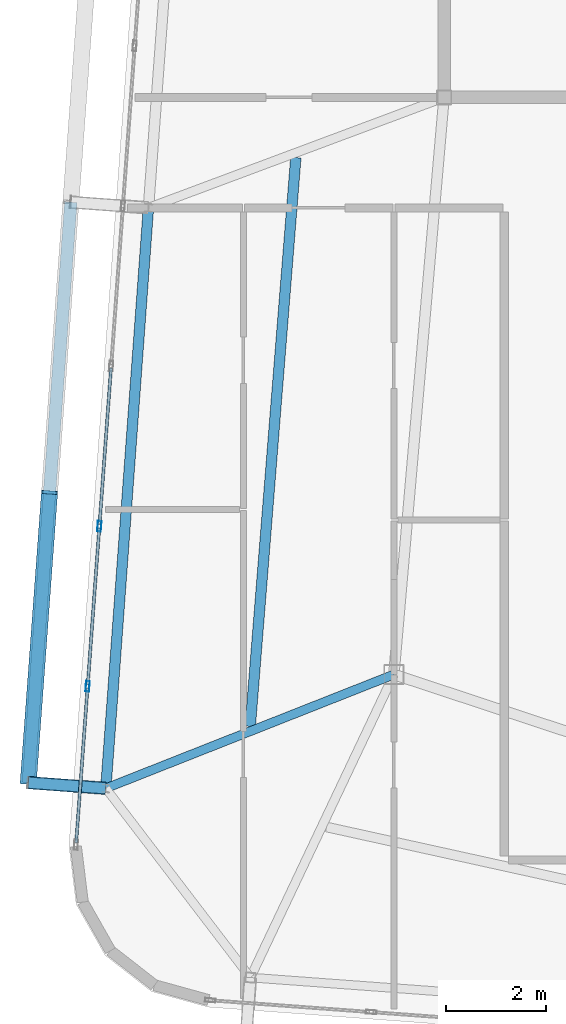
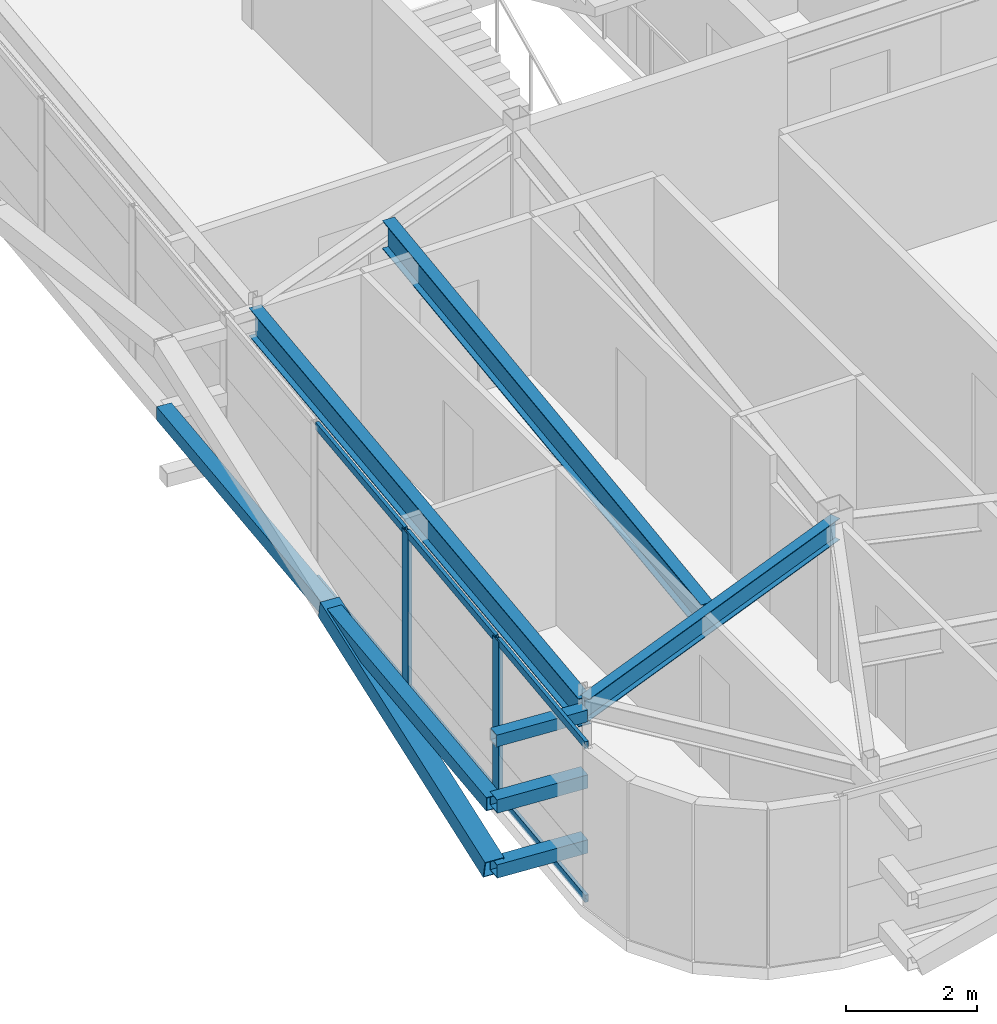
# One storey, part 11 of 42: 13 members, 3 beams, 1 element without a shape of its own.
"""IFC4 building model written with IfcOpenShell, lengths in metres."""

import ifcopenshell
import ifcopenshell.guid

model = None  # the IFC model being written
_history = None  # IfcOwnerHistory: only IFC2X3 demands one
_inside = {}  # id of a spatial element -> (the spatial element, [elements in it])
_under = {}  # id of a project, library or spatial element -> (it, [spatial elements below it])
_declared = {}  # id of a project -> (the project, [libraries it declares])
_typed = {}  # id of a type object -> (the type object, [elements of that type])
_made_of = {}  # id of a material, layer set ... -> (it, [elements and type objects made of it])


def new_model(schema):
    """Start an empty IFC model of exactly this schema.

    Asked for "IFC4X3", IfcOpenShell would pick the latest addendum, in which some entities
    have other attributes; the version numbers below select the first issue.
    IFC2X3 requires an IfcOwnerHistory on every rooted entity: one is made here for all.
    """
    global model, _history
    if schema == "IFC4X3":
        model = ifcopenshell.file(schema_version=(4, 3, 0, 0))
    else:
        model = ifcopenshell.file(schema=schema)
    _inside.clear()
    _under.clear()
    _declared.clear()
    _typed.clear()
    _made_of.clear()
    _history = None
    if model.schema == "IFC2X3":
        org = make("IfcOrganization", Name="unknown")
        user = make(
            "IfcPersonAndOrganization",
            ThePerson=make("IfcPerson", FamilyName="unknown"),
            TheOrganization=org,
        )
        app = make(
            "IfcApplication",
            ApplicationDeveloper=org,
            Version="unknown",
            ApplicationFullName="unknown",
            ApplicationIdentifier="unknown",
        )
        _history = make(
            "IfcOwnerHistory",
            OwningUser=user,
            OwningApplication=app,
            ChangeAction="ADDED",
            CreationDate=0,
        )
    return model


def make(cls, **values):
    """One entity of the class cls with the attributes given. An attribute that is None is left unset."""
    return model.create_entity(
        cls, **{name: value for name, value in values.items() if value is not None}
    )


def rooted(cls, **values):
    """An entity with a GlobalId (a new one), such as an element, a storey or a relation."""
    return make(cls, GlobalId=ifcopenshell.guid.new(), OwnerHistory=_history, **values)


def si_unit(unit_type, name, prefix=None):
    """IfcSIUnit, for example si_unit("LENGTHUNIT", "METRE", prefix="MILLI")."""
    return make("IfcSIUnit", UnitType=unit_type, Prefix=prefix, Name=name)


def assignment(units):
    """IfcUnitAssignment: the units of a project."""
    return None if units is None else make("IfcUnitAssignment", Units=units)


def point(xyz):
    """IfcCartesianPoint."""
    return None if xyz is None else make("IfcCartesianPoint", Coordinates=xyz)


def direction(xyz):
    """IfcDirection."""
    return None if xyz is None else make("IfcDirection", DirectionRatios=xyz)


def frame(location, z_axis=None, x_axis=None):
    """IfcAxis2Placement3D, a coordinate frame: its origin and axes. An axis left out is left unset."""
    return make(
        "IfcAxis2Placement3D",
        Location=point(location),
        Axis=direction(z_axis),
        RefDirection=direction(x_axis),
    )


def frame_2d(location, x_axis=None):
    """IfcAxis2Placement2D, a coordinate frame in the plane: its origin and x axis."""
    return make(
        "IfcAxis2Placement2D", Location=point(location), RefDirection=direction(x_axis)
    )


def origin():
    """The frame at (0, 0, 0) with its axes left unset."""
    return frame((0.0, 0.0, 0.0))


def origin_2d():
    """The frame at (0, 0) in the plane with its x axis left unset."""
    return frame_2d((0.0, 0.0))


def place(relative_to, where):
    """IfcLocalPlacement: puts the frame where relative to a parent placement (None: the world)."""
    return make(
        "IfcLocalPlacement", PlacementRelTo=relative_to, RelativePlacement=where
    )


def context(
    kind, dimensions, precision=None, world=None, true_north=None, identifier=None
):
    """IfcGeometricRepresentationContext, for example the 3D "Model" context."""
    return make(
        "IfcGeometricRepresentationContext",
        ContextIdentifier=identifier,
        ContextType=kind,
        CoordinateSpaceDimension=dimensions,
        Precision=precision,
        WorldCoordinateSystem=world,
        TrueNorth=true_north,
    )


def subcontext(parent, identifier, kind, view, scale=None):
    """IfcGeometricRepresentationSubContext, for example "Body" below "Model"."""
    return make(
        "IfcGeometricRepresentationSubContext",
        ContextIdentifier=identifier,
        ContextType=kind,
        ParentContext=parent,
        TargetScale=scale,
        TargetView=view,
    )


def project(units=None, contexts=None):
    """IfcProject with its units and contexts."""
    return rooted(
        "IfcProject",
        Name="project",
        RepresentationContexts=contexts,
        UnitsInContext=assignment(units),
    )


def spatial(cls, under=None, at=None, **own):
    """A site, building, storey or space (cls), placed at a placement, below another one or the project."""
    s = rooted(cls, ObjectPlacement=at, **own)
    if under is not None:
        _under.setdefault(under.id(), (under, []))[1].append(s)
    return s


def profile(cls, at=None, kind="AREA", **sizes):
    """A parametric profile (cls). Its sizes go by their IFC names, for example OverallWidth=200.0."""
    return make(cls, ProfileType=kind, Position=at, **sizes)


def hollow_rectangle(**sizes):
    """IfcRectangleHollowProfileDef."""
    return profile("IfcRectangleHollowProfileDef", **sizes)


def i_section(**sizes):
    """IfcIShapeProfileDef."""
    return profile("IfcIShapeProfileDef", **sizes)


def extrude(swept, where, along, depth):
    """IfcExtrudedAreaSolid: the profile swept, set in the frame where, extruded along a direction by depth."""
    return make(
        "IfcExtrudedAreaSolid",
        SweptArea=swept,
        Position=where,
        ExtrudedDirection=direction(along),
        Depth=depth,
    )


def shape(context_of_items, identifier, shape_type, items):
    """IfcShapeRepresentation: the items that make up one representation, for example the "Body"."""
    return make(
        "IfcShapeRepresentation",
        ContextOfItems=context_of_items,
        RepresentationIdentifier=identifier,
        RepresentationType=shape_type,
        Items=items,
    )


def source(mapping_origin, context_of_items, identifier, shape_type, items):
    """IfcRepresentationMap: a shape defined once, which mapped items show again and again."""
    return make(
        "IfcRepresentationMap",
        MappingOrigin=mapping_origin,
        MappedRepresentation=shape(context_of_items, identifier, shape_type, items),
    )


def transform(
    local_origin,
    x_axis=None,
    y_axis=None,
    z_axis=None,
    scale=None,
    scale2=None,
    scale3=None,
    uniform=True,
):
    """IfcCartesianTransformationOperator3D, or its non-uniform kind. x_axis, y_axis, z_axis: its Axis1, 2, 3."""
    if uniform:
        return make(
            "IfcCartesianTransformationOperator3D",
            Axis1=direction(x_axis),
            Axis2=direction(y_axis),
            LocalOrigin=point(local_origin),
            Scale=scale,
            Axis3=direction(z_axis),
        )
    return make(
        "IfcCartesianTransformationOperator3DnonUniform",
        Axis1=direction(x_axis),
        Axis2=direction(y_axis),
        LocalOrigin=point(local_origin),
        Scale=scale,
        Axis3=direction(z_axis),
        Scale2=scale2,
        Scale3=scale3,
    )


def mapped(mapping_source, mapping_target):
    """IfcMappedItem: shows the shape of a source again, moved by a transform."""
    return make(
        "IfcMappedItem", MappingSource=mapping_source, MappingTarget=mapping_target
    )


def material(Name=None, Category=None):
    """IfcMaterial."""
    return make("IfcMaterial", Name=Name, Category=Category)


def layer(
    of_material, thickness, ventilated=None, Name=None, Category=None, Priority=None
):
    """IfcMaterialLayer: one layer of a wall or slab, of a material (None: an air gap)."""
    return make(
        "IfcMaterialLayer",
        Material=of_material,
        LayerThickness=thickness,
        IsVentilated=ventilated,
        Name=Name,
        Category=Category,
        Priority=Priority,
    )


def layer_set(layers, Name=None):
    """IfcMaterialLayerSet."""
    return make("IfcMaterialLayerSet", MaterialLayers=layers, LayerSetName=Name)


def material_profile(
    of_material, cross_section, Name=None, Category=None, Priority=None
):
    """IfcMaterialProfile: a cross section and its material."""
    return make(
        "IfcMaterialProfile",
        Name=Name,
        Material=of_material,
        Profile=cross_section,
        Priority=Priority,
        Category=Category,
    )


def profile_set(profiles, Name=None, composite=None):
    """IfcMaterialProfileSet."""
    return make(
        "IfcMaterialProfileSet",
        Name=Name,
        MaterialProfiles=profiles,
        CompositeProfile=composite,
    )


def made_of(thing, what):
    """Note that an element or type object is made of a material, layer set ...; save() writes the relation."""
    if what is not None:
        _made_of.setdefault(what.id(), (what, []))[1].append(thing)
    return thing


def type_object(cls, material=None, **own):
    """A type object (cls), such as IfcWallType, which elements share."""
    return made_of(rooted(cls, **own), material)


def element(
    cls,
    number,
    at=None,
    inside=None,
    cuts=None,
    type_object=None,
    material=None,
    context=None,
    identifier="Body",
    shape_type=None,
    held_by="IfcProductDefinitionShape",
    body=None,
    shapes=None,
    **own,
):
    """One element of the class cls, such as IfcWall. Its Tag is "e" and its number.

    at: its placement. inside: the storey or other place that contains it. cuts: it is an
    opening in that element (IfcRelVoidsElement). A single representation is given by context,
    identifier, shape_type and body (its items); several are given by shapes. held_by: the class
    of the entity that holds the representations. save() writes the other relations.
    """
    e = rooted(cls, Tag="e%d" % number, ObjectPlacement=at, **own)
    if body is not None:
        shapes = [shape(context, identifier, shape_type, body)]
    if shapes is not None:
        e.Representation = make(held_by, Representations=shapes)
    if inside is not None:
        _inside.setdefault(inside.id(), (inside, []))[1].append(e)
    if cuts is not None:
        rooted(
            "IfcRelVoidsElement", RelatingBuildingElement=cuts, RelatedOpeningElement=e
        )
    if type_object is not None:
        _typed.setdefault(type_object.id(), (type_object, []))[1].append(e)
    return made_of(e, material)


def aggregate(whole, parts):
    """IfcRelAggregates: a whole, such as a stair, and the parts it consists of."""
    return rooted("IfcRelAggregates", RelatingObject=whole, RelatedObjects=parts)


def save(model, path):
    """Write the relations noted so far, then the file.

    IfcRelAggregates (storeys below a building ...), IfcRelContainedInSpatialStructure (elements
    in a storey), IfcRelDefinesByType, IfcRelAssociatesMaterial and IfcRelDeclares: one each for
    every whole, place, type object, material and project.
    """
    for whole, parts in _under.values():
        aggregate(whole, parts)
    for where, things in _inside.values():
        rooted(
            "IfcRelContainedInSpatialStructure",
            RelatedElements=things,
            RelatingStructure=where,
        )
    for kind, things in _typed.values():
        rooted("IfcRelDefinesByType", RelatedObjects=things, RelatingType=kind)
    for what, things in _made_of.values():
        rooted("IfcRelAssociatesMaterial", RelatedObjects=things, RelatingMaterial=what)
    for by, libraries in _declared.values():
        rooted("IfcRelDeclares", RelatingContext=by, RelatedDefinitions=libraries)
    model.write(path)


model = new_model("IFC4")

# Units and contexts
model_context = context("Model", 3, precision=1e-05, world=origin(), true_north=direction((0.0, 1.0)))
body_context = subcontext(model_context, "Body", "Model", "MODEL_VIEW")
ifc_project = project(units=[si_unit("LENGTHUNIT", "METRE"), si_unit("AREAUNIT", "SQUARE_METRE"), si_unit("VOLUMEUNIT", "CUBIC_METRE"), si_unit("PLANEANGLEUNIT", "RADIAN"), si_unit("MASSUNIT", "GRAM", prefix="KILO")], contexts=[model_context])

# Site, building, storey
site_placement = place(None, origin())
site = spatial("IfcSite", under=ifc_project, at=site_placement, CompositionType="ELEMENT")
building_placement = place(site_placement, origin())
building = spatial("IfcBuilding", under=site, at=building_placement, Name="Taldren Reach Tower", CompositionType="ELEMENT")
storey_placement = place(building_placement, frame((0.0, 0.0, 224.0)))
storey = spatial("IfcBuildingStorey", under=building, at=storey_placement, Name="L68", CompositionType="ELEMENT", Elevation=224.0)

# Beams
ifc_material_1 = material(Name="Steel Gr 350 (350PLUS)", Category="steel")
ifc_material_profile_1 = material_profile(ifc_material_1, i_section(OverallWidth=0.208984375, OverallDepth=0.528076171875, WebThickness=0.009521484375, FlangeThickness=0.01318359375, at=origin_2d()), Name="530UB82.0")
ifc_profile_set_1 = profile_set([ifc_material_profile_1], Name="Steel Gr 350 (350PLUS)")
beam_type_1 = type_object("IfcBeamType", Name="SP-UB530B", PredefinedType="SPANDREL", material=ifc_profile_set_1)
shared_shape_1 = source(origin(), body_context, "Body", "SweptSolid", [
    extrude(i_section(OverallWidth=0.208984375, OverallDepth=0.528076171875, WebThickness=0.009521484375, FlangeThickness=0.01318359375, at=origin_2d()), origin(), (0.0, 0.0, 1.0), 11.60009765625),
])
beam_1_placement = place(storey_placement, frame((13.108642578125, 21.80029296875, 2.666015625), z_axis=(-0.073242167855, -0.997314185625, 0.0), x_axis=(0.997314185625, -0.073242167855, 0.0)))
element("IfcBeam", 1, at=beam_1_placement, inside=storey, type_object=beam_type_1, Name="Perimeter spandrel B5 W2-W1 L68", PredefinedType="SPANDREL", context=body_context, shape_type="MappedRepresentation", body=[
    mapped(shared_shape_1, transform((0.0, 0.0, 0.0), scale=1.0)),
])
ifc_material_profile_2 = material_profile(ifc_material_1, i_section(OverallWidth=0.177978515625, OverallDepth=0.406005859375, WebThickness=0.0078125, FlangeThickness=0.0126953125, at=origin_2d()), Name="410UB59.7")
ifc_profile_set_2 = profile_set([ifc_material_profile_2], Name="Steel Gr 350 (350PLUS)")
beam_type_2 = type_object("IfcBeamType", Name="BM-UB410", PredefinedType="BEAM", material=ifc_profile_set_2)
shared_shape_2 = source(origin(), body_context, "Body", "SweptSolid", [
    extrude(i_section(OverallWidth=0.177978515625, OverallDepth=0.406005859375, WebThickness=0.0078125, FlangeThickness=0.0126953125, at=origin_2d()), origin(), (0.0, 0.0, 1.0), 6.1728515625),
])
beam_2_placement = place(storey_placement, frame((18.0, 12.5, 2.72705078125), z_axis=(-0.930023287794, -0.367500590695, 0.0), x_axis=(0.367500590695, -0.930023287794, 0.0)))
element("IfcBeam", 2, at=beam_2_placement, inside=storey, type_object=beam_type_2, Name="Primary floor girder B5-W1 L68", PredefinedType="BEAM", context=body_context, shape_type="MappedRepresentation", body=[
    mapped(shared_shape_2, transform((0.0, 0.0, 0.0), scale=1.0)),
])
ifc_material_profile_3 = material_profile(ifc_material_1, i_section(OverallWidth=0.208984375, OverallDepth=0.532958984375, WebThickness=0.01025390625, FlangeThickness=0.015625, at=origin_2d()), Name="530UB92.4")
ifc_profile_set_3 = profile_set([ifc_material_profile_3], Name="Steel Gr 350 (350PLUS)")
beam_type_3 = type_object("IfcBeamType", Name="BM-UB530A", PredefinedType="BEAM", material=ifc_profile_set_3)
shared_shape_3 = source(origin(), body_context, "Body", "SweptSolid", [
    extrude(i_section(OverallWidth=0.208984375, OverallDepth=0.532958984375, WebThickness=0.01025390625, FlangeThickness=0.015625, at=origin_2d()), origin(), (0.0, 0.0, 1.0), 11.3740234375),
])
beam_3_placement = place(storey_placement, frame((15.137451171875, 11.464599609375, 2.66357421875), z_axis=(0.079913287803, 0.996801819036, 0.0), x_axis=(-0.996801819036, 0.079913287803, 0.0)))
element("IfcBeam", 3, at=beam_3_placement, inside=storey, type_object=beam_type_3, Name="Secondary floor beam B5 J6 L68", PredefinedType="BEAM", context=body_context, shape_type="MappedRepresentation", body=[
    mapped(shared_shape_3, transform((0.0, 0.0, 0.0), scale=1.0)),
])

# Members
ifc_material_2 = material(Name="Steel Gr 450 (C450L0)", Category="steel")
ifc_material_profile_4 = material_profile(ifc_material_2, hollow_rectangle(XDim=0.219970703125, YDim=0.219970703125, WallThickness=0.00830078125, at=origin_2d()), Name="220x220x8.2SHS")
ifc_profile_set_4 = profile_set([ifc_material_profile_4], Name="Steel Gr 450 (C450L0)")
member_type_1 = type_object("IfcMemberType", Name="MB-TIE219", PredefinedType="STRUT", material=ifc_profile_set_4)
shared_shape_4 = source(origin(), body_context, "Body", "SweptSolid", [
    extrude(hollow_rectangle(XDim=0.219970703125, YDim=0.219970703125, WallThickness=0.00830078125, at=origin_2d()), origin(), (0.0, 0.0, 1.0), 1.5458984375),
])
member_1_placement = place(storey_placement, frame((12.255126953125, 10.231689453125, 2.64990234375), z_axis=(-0.997311530447, 0.073278313559, 0.0), x_axis=(-0.073278313559, -0.997311530447, 0.0)))
element("IfcMember", 4, at=member_1_placement, inside=storey, type_object=member_type_1, Name="Exoskeleton diaphragm tie strut B5-W1 L68", PredefinedType="STRUT", context=body_context, shape_type="MappedRepresentation", body=[
    mapped(shared_shape_4, transform((0.0, 0.0, 0.0), scale=1.0)),
])
ifc_material_profile_5 = material_profile(ifc_material_2, hollow_rectangle(XDim=0.324951171875, YDim=0.324951171875, WallThickness=0.0126953125, at=origin_2d()), Name="325x325x12.7SHS")
ifc_profile_set_5 = profile_set([ifc_material_profile_5], Name="Steel Gr 450 (C450L0)")
member_type_2 = type_object("IfcMemberType", Name="MB-BR324", PredefinedType="BRACE", material=ifc_profile_set_5)
shared_shape_5 = source(origin(), body_context, "Body", "SweptSolid", [
    extrude(hollow_rectangle(XDim=0.324951171875, YDim=0.324951171875, WallThickness=0.0126953125, at=origin_2d()), origin(), (0.0, 0.0, 1.0), 5.92578125),
])
member_2_placement = place(storey_placement, frame((10.71337890625, 10.344970703125, 0.219970703125), z_axis=(0.071644948114, 0.976126368983, 0.205047099921), x_axis=(-0.997317259472, 0.073200300267, 0.0)))
element("IfcMember", 5, at=member_2_placement, inside=storey, type_object=member_type_2, Name="Exoskeleton Diagrid Brace B5-W1 L68", PredefinedType="BRACE", context=body_context, shape_type="MappedRepresentation", body=[
    mapped(shared_shape_5, transform((0.0, 0.0, 0.0), scale=1.0)),
])
ifc_material_3 = material(Name="Steel Gr 350 (C350L0)", Category="steel")
ifc_material_profile_6 = material_profile(ifc_material_3, hollow_rectangle(XDim=0.25, YDim=0.25, WallThickness=0.010009765625, at=origin_2d()), Name="250x250x10.0SHS")
ifc_profile_set_6 = profile_set([ifc_material_profile_6], Name="Steel Gr 350 (C350L0)")
member_type_3 = type_object("IfcMemberType", Name="MB-POST250", PredefinedType="POST", material=ifc_profile_set_6)
shared_shape_6 = source(origin(), body_context, "Body", "SweptSolid", [
    extrude(hollow_rectangle(XDim=0.25, YDim=0.25, WallThickness=0.010009765625, at=origin_2d()), origin(), (0.0, 0.0, 1.0), 11.60009765625),
])
member_3_placement = place(storey_placement, frame((10.71337890625, 10.344970703125, 1.43505859375), z_axis=(0.073221234109, 0.997315722766, 0.0), x_axis=(-0.997315722766, 0.073221234109, 0.0)))
element("IfcMember", 6, at=member_3_placement, inside=storey, type_object=member_type_3, Name="Exoskeleton mid-height ring chord B5-W1 L68", PredefinedType="POST", context=body_context, shape_type="MappedRepresentation", body=[
    mapped(shared_shape_6, transform((0.0, 0.0, 0.0), scale=1.0)),
])
shared_shape_7 = source(origin(), body_context, "Body", "SweptSolid", [
    extrude(hollow_rectangle(XDim=0.25, YDim=0.25, WallThickness=0.010009765625, at=origin_2d()), origin(), (0.0, 0.0, 1.0), 1.5458984375),
])
for number, where, z_axis, x_axis, name in (
    (7, (12.255126953125, 10.231689453125, 0.219970703125), (-0.997311530447, 0.073278313559, 0.0), (-0.073278313559, -0.997311530447, 0.0), "Exoskeleton base diaphragm tie strut B5-W1 L68"),
    (8, (12.255126953125, 10.231689453125, 1.43505859375), (-0.997311530447, 0.073278313559, 0.0), (-0.073278313559, -0.997311530447, 0.0), "Exoskeleton mid-tier diaphragm tie B5-W1 L68"),
):
    element("IfcMember", number, at=place(storey_placement, frame(where, z_axis=z_axis, x_axis=x_axis)), inside=storey, type_object=member_type_3, Name=name, PredefinedType="POST", context=body_context, shape_type="MappedRepresentation", body=[
        mapped(shared_shape_7, transform((0.0, 0.0, 0.0), scale=1.0)),
    ])

# Curtain wall, members
ifc_material_4 = material(Name="Aluminium and Low-E Glass Unitised System", Category="aluminium")
ifc_layer = layer(ifc_material_4, 0.159912109375)
ifc_layer_set = layer_set([ifc_layer], Name="Aluminium and Low-E Glass Unitised System")
curtain_wall_type = type_object("IfcCurtainWallType", Name="CW-SYS-6", PredefinedType="NOTDEFINED", material=ifc_layer_set)
curtain_wall_placement = place(storey_placement, origin())
curtain_wall = element("IfcCurtainWall", 9, at=curtain_wall_placement, inside=storey, type_object=curtain_wall_type, Name="Unitised curtain wall CW-L68-W", PredefinedType="NOTDEFINED")
ifc_material_5 = material(Name="Anodised Aluminium 6063-T6", Category="aluminium")
ifc_material_profile_7 = material_profile(ifc_material_5, hollow_rectangle(XDim=0.074951171875, YDim=0.2099609375, WallThickness=0.00439453125, at=origin_2d()), Name="ALU-210x75x4.5RHS")
ifc_profile_set_7 = profile_set([ifc_material_profile_7], Name="Anodised Aluminium 6063-T6")
member_type_4 = type_object("IfcMemberType", Name="CW-MUL-200", PredefinedType="MULLION", material=ifc_profile_set_7)
shared_shape_8 = source(origin(), body_context, "Body", "SweptSolid", [
    extrude(hollow_rectangle(XDim=0.074951171875, YDim=0.2099609375, WallThickness=0.00439453125, at=origin_2d()), origin(), (0.0, 0.0, 1.0), 2.929931640625),
])
member_4_placement = place(storey_placement, frame((12.13134765625, 15.454833984375, 0.0), z_axis=(0.0, 0.0, 1.0), x_axis=(0.997314470951, -0.073238282558, 0.0)))
member_4 = element("IfcMember", 10, at=member_4_placement, type_object=member_type_4, Name="CW-6 mullion 7", PredefinedType="MULLION", context=body_context, shape_type="MappedRepresentation", body=[
    mapped(shared_shape_8, transform((0.0, 0.0, 0.0), scale=1.0)),
])
member_5_placement = place(storey_placement, frame((11.89697265625, 12.263427734375, 0.0), z_axis=(0.0, 0.0, 1.0), x_axis=(0.997314470951, -0.073238282558, 0.0)))
member_5 = element("IfcMember", 11, at=member_5_placement, type_object=member_type_4, Name="CW-6 mullion 8", PredefinedType="MULLION", context=body_context, shape_type="MappedRepresentation", body=[
    mapped(shared_shape_8, transform((0.0, 0.0, 0.0), scale=1.0)),
])
ifc_material_profile_8 = material_profile(ifc_material_5, hollow_rectangle(XDim=0.06005859375, YDim=0.135009765625, WallThickness=0.00341796875, at=origin_2d()), Name="ALU-135x60x3.5RHS")
ifc_profile_set_8 = profile_set([ifc_material_profile_8], Name="Anodised Aluminium 6063-T6")
member_type_5 = type_object("IfcMemberType", Name="CW-TRN-150", PredefinedType="USERDEFINED", material=ifc_profile_set_8)
shared_shape_9 = source(origin(), body_context, "Body", "SweptSolid", [
    extrude(hollow_rectangle(XDim=0.06005859375, YDim=0.135009765625, WallThickness=0.00341796875, at=origin_2d()), origin(), (0.0, 0.0, 1.0), 3.125),
])
member_6_placement = place(storey_placement, frame((12.363037109375, 18.60888671875, 0.030029296875), z_axis=(-0.073278879567, -0.997311488859, 0.0), x_axis=(0.997311488859, -0.073278879567, 0.0)))
member_6 = element("IfcMember", 12, at=member_6_placement, type_object=member_type_5, Name="CW-6 transom 6.1", ObjectType="TRANSOM", PredefinedType="USERDEFINED", context=body_context, shape_type="MappedRepresentation", body=[
    mapped(shared_shape_9, transform((0.0, 0.0, 0.0), scale=1.0)),
])
member_7_placement = place(storey_placement, frame((12.363037109375, 18.60888671875, 2.89990234375), z_axis=(-0.073278879567, -0.997311488859, 0.0), x_axis=(0.997311488859, -0.073278879567, 0.0)))
member_7 = element("IfcMember", 13, at=member_7_placement, type_object=member_type_5, Name="CW-6 transom 6.2", ObjectType="TRANSOM", PredefinedType="USERDEFINED", context=body_context, shape_type="MappedRepresentation", body=[
    mapped(shared_shape_9, transform((0.0, 0.0, 0.0), scale=1.0)),
])
member_8_placement = place(storey_placement, frame((12.128662109375, 15.41748046875, 0.030029296875), z_axis=(-0.073278879567, -0.997311488859, 0.0), x_axis=(0.997311488859, -0.073278879567, 0.0)))
member_8 = element("IfcMember", 14, at=member_8_placement, type_object=member_type_5, Name="CW-6 transom 7.1", ObjectType="TRANSOM", PredefinedType="USERDEFINED", context=body_context, shape_type="MappedRepresentation", body=[
    mapped(shared_shape_9, transform((0.0, 0.0, 0.0), scale=1.0)),
])
member_9_placement = place(storey_placement, frame((12.128662109375, 15.41748046875, 2.89990234375), z_axis=(-0.073278879567, -0.997311488859, 0.0), x_axis=(0.997311488859, -0.073278879567, 0.0)))
member_9 = element("IfcMember", 15, at=member_9_placement, type_object=member_type_5, Name="CW-6 transom 7.2", ObjectType="TRANSOM", PredefinedType="USERDEFINED", context=body_context, shape_type="MappedRepresentation", body=[
    mapped(shared_shape_9, transform((0.0, 0.0, 0.0), scale=1.0)),
])
shared_shape_10 = source(origin(), body_context, "Body", "SweptSolid", [
    extrude(hollow_rectangle(XDim=0.06005859375, YDim=0.135009765625, WallThickness=0.00341796875, at=origin_2d()), origin(), (0.0, 0.0, 1.0), 3.087646484375),
])
member_10_placement = place(storey_placement, frame((11.894287109375, 12.22607421875, 0.030029296875), z_axis=(-0.073219257406, -0.99731586789, 0.0), x_axis=(0.99731586789, -0.073219257406, 0.0)))
member_10 = element("IfcMember", 16, at=member_10_placement, type_object=member_type_5, Name="CW-6 transom 8.1", ObjectType="TRANSOM", PredefinedType="USERDEFINED", context=body_context, shape_type="MappedRepresentation", body=[
    mapped(shared_shape_10, transform((0.0, 0.0, 0.0), scale=1.0)),
])
member_11_placement = place(storey_placement, frame((11.894287109375, 12.22607421875, 2.89990234375), z_axis=(-0.073219257406, -0.99731586789, 0.0), x_axis=(0.99731586789, -0.073219257406, 0.0)))
member_11 = element("IfcMember", 17, at=member_11_placement, type_object=member_type_5, Name="CW-6 transom 8.2", ObjectType="TRANSOM", PredefinedType="USERDEFINED", context=body_context, shape_type="MappedRepresentation", body=[
    mapped(shared_shape_10, transform((0.0, 0.0, 0.0), scale=1.0)),
])
aggregate(curtain_wall, [member_4, member_5, member_6, member_7, member_8, member_9, member_10, member_11])

save(model, "model.ifc")
